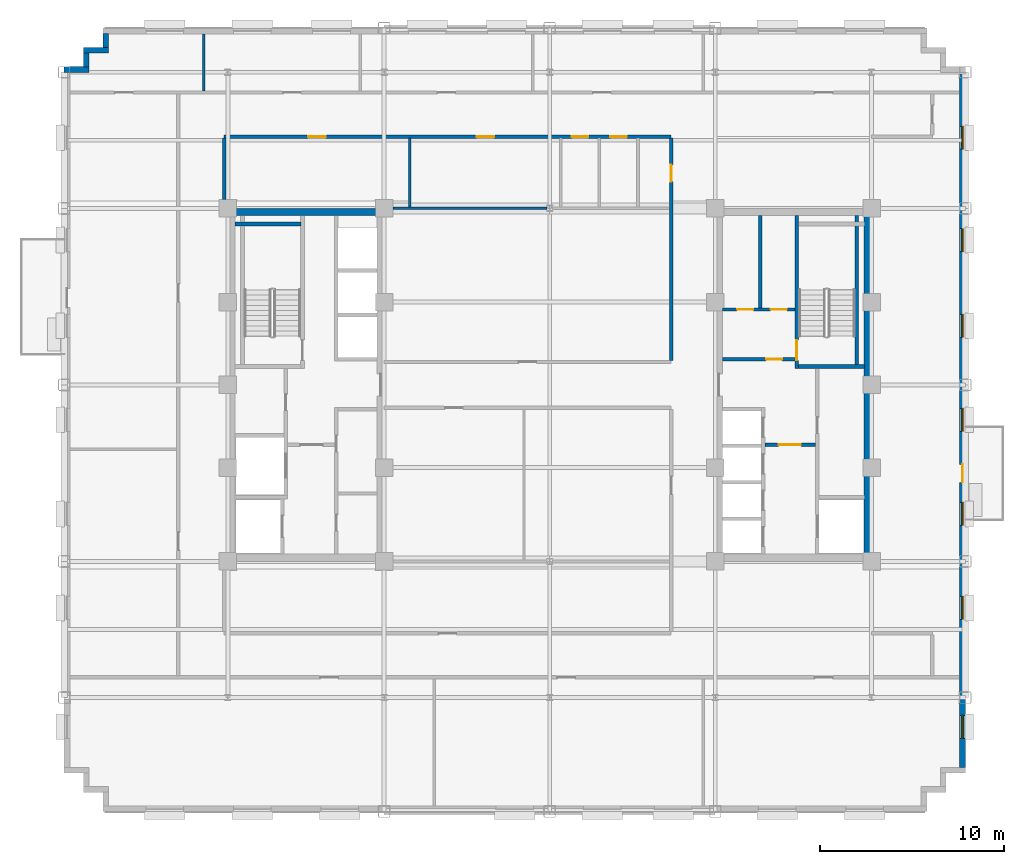
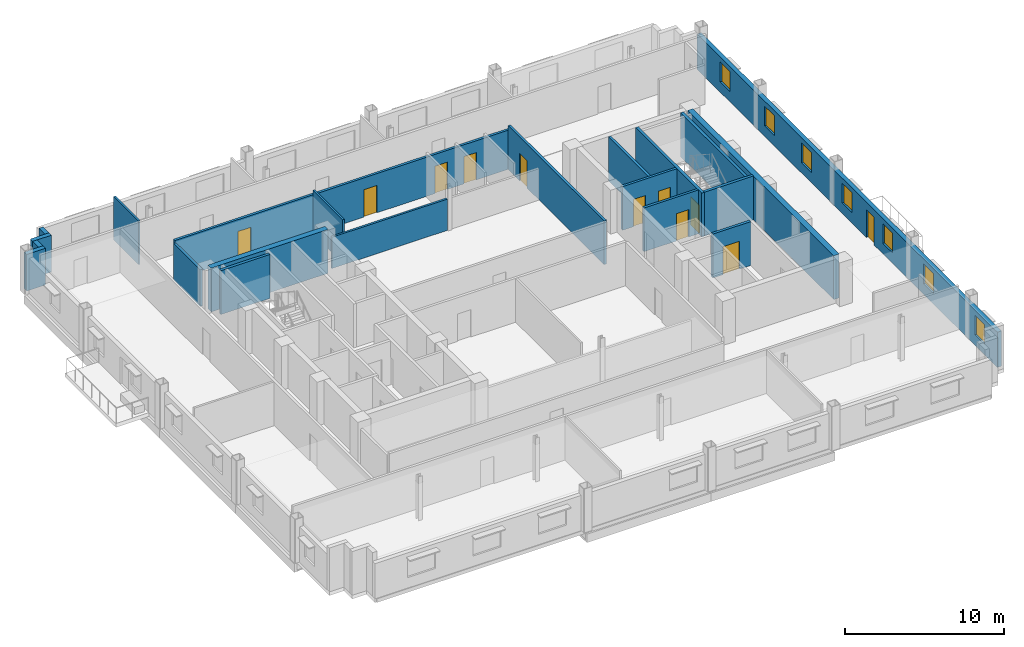
# One storey, part 9 of 14: 21 walls, 11 doors, 7 windows, 18 openings.
"""IFC4 building model written with IfcOpenShell, lengths in metres."""

from ifc_helpers import new_model, si_unit, direction, frame, frame_2d, origin, place, context, subcontext, project, spatial, rectangle, extrude, source, transform, mapped, material, layer, layer_set, type_object, type_shapes, element, fill, save


model = new_model("IFC4")

# Units and contexts
model_context = context("Model", 3, precision=1e-05, world=origin(), true_north=direction((0.0, 1.0)))
body_context = subcontext(model_context, "Body", "Model", "MODEL_VIEW")
ifc_project = project(units=[si_unit("LENGTHUNIT", "METRE"), si_unit("AREAUNIT", "SQUARE_METRE"), si_unit("VOLUMEUNIT", "CUBIC_METRE"), si_unit("PLANEANGLEUNIT", "RADIAN"), si_unit("MASSUNIT", "GRAM", prefix="KILO")], contexts=[model_context])

# Site, building, storey
site_placement = place(None, origin())
site = spatial("IfcSite", under=ifc_project, at=site_placement, CompositionType="ELEMENT")
building_placement = place(site_placement, origin())
building = spatial("IfcBuilding", under=site, at=building_placement, Name="Nuvemarco Arch Tower", CompositionType="ELEMENT")
storey_placement = place(building_placement, frame((0.0, 0.0, 171.300048828125)))
storey = spatial("IfcBuildingStorey", under=building, at=storey_placement, Name="L45", CompositionType="ELEMENT", Elevation=171.300048828125)

# Wall, openings, door, windows
ifc_material_1 = material(Name="Precast concrete C45/55", Category="concrete")
ifc_layer_1 = layer(ifc_material_1, 0.31005859375, Name="EW-UPP-310")
ifc_layer_set_1 = layer_set([ifc_layer_1], Name="Precast concrete C45/55")
wall_type_1 = type_object("IfcWallType", Name="EW-UPP-310", PredefinedType="STANDARD", material=ifc_layer_set_1)
wall_1_placement = place(storey_placement, frame((22.445068359375, -20.7939453125, 0.0), z_axis=(0.0, 0.0, 1.0), x_axis=(0.0, 1.0, 0.0)))
wall_1 = element("IfcWall", 1, at=wall_1_placement, inside=storey, type_object=wall_type_1, Name="L45 exterior precast facade wall 6", PredefinedType="STANDARD", context=body_context, shape_type="SweptSolid", body=[
    extrude(rectangle(XDim=37.787841796875, YDim=0.31005859375, at=frame_2d((18.89404296875, 0.0))), origin(), (0.0, 0.0, 1.0), 2.704833984375),
])
opening_1_placement = place(wall_1_placement, frame((16.473876953125, 0.0, 0.0), z_axis=(0.0, 0.0, 1.0), x_axis=(-1.0, 0.0, 0.0)))
opening_1 = element("IfcOpeningElement", 2, at=opening_1_placement, cuts=wall_1, Name="Opening ED-6", PredefinedType="OPENING", context=body_context, shape_type="SweptSolid", body=[
    extrude(rectangle(XDim=0.97998046875, YDim=2.14990234375, at=frame_2d((0.489990234375, 1.074951171875))), frame((0.0, 0.1650390625, 0.0), z_axis=(0.0, -1.0, 0.0), x_axis=(1.0, 0.0, 0.0)), (0.0, 0.0, 1.0), 0.330078125),
])
opening_2_placement = place(wall_1_placement, frame((1.581298828125, 0.0, 0.800048828125)))
opening_2 = element("IfcOpeningElement", 3, at=opening_2_placement, cuts=wall_1, Name="Opening WN-13", PredefinedType="OPENING", context=body_context, shape_type="SweptSolid", body=[
    extrude(rectangle(XDim=1.25, YDim=1.52001953125, at=frame_2d((0.625, 0.760009765625))), frame((0.0, 0.1650390625, 0.0), z_axis=(0.0, -1.0, 0.0), x_axis=(1.0, 0.0, 0.0)), (0.0, 0.0, 1.0), 0.330078125),
])
opening_3_placement = place(wall_1_placement, frame((8.0439453125, 0.0, 0.800048828125)))
opening_3 = element("IfcOpeningElement", 4, at=opening_3_placement, cuts=wall_1, Name="Opening WN-13", PredefinedType="OPENING", context=body_context, shape_type="SweptSolid", body=[
    extrude(rectangle(XDim=1.25, YDim=1.52001953125, at=frame_2d((0.625, 0.760009765625))), frame((0.0, 0.1650390625, 0.0), z_axis=(0.0, -1.0, 0.0), x_axis=(1.0, 0.0, 0.0)), (0.0, 0.0, 1.0), 0.330078125),
])
opening_4_placement = place(wall_1_placement, frame((13.156494140625, 0.0, 0.800048828125)))
opening_4 = element("IfcOpeningElement", 5, at=opening_4_placement, cuts=wall_1, Name="Opening WN-13", PredefinedType="OPENING", context=body_context, shape_type="SweptSolid", body=[
    extrude(rectangle(XDim=1.25, YDim=1.52001953125, at=frame_2d((0.625, 0.760009765625))), frame((0.0, 0.1650390625, 0.0), z_axis=(0.0, -1.0, 0.0), x_axis=(1.0, 0.0, 0.0)), (0.0, 0.0, 1.0), 0.330078125),
])
opening_5_placement = place(wall_1_placement, frame((18.26904296875, 0.0, 0.800048828125)))
opening_5 = element("IfcOpeningElement", 6, at=opening_5_placement, cuts=wall_1, Name="Opening WN-13", PredefinedType="OPENING", context=body_context, shape_type="SweptSolid", body=[
    extrude(rectangle(XDim=1.25, YDim=1.52001953125, at=frame_2d((0.625, 0.760009765625))), frame((0.0, 0.1650390625, 0.0), z_axis=(0.0, -1.0, 0.0), x_axis=(1.0, 0.0, 0.0)), (0.0, 0.0, 1.0), 0.330078125),
])
opening_6_placement = place(wall_1_placement, frame((23.381591796875, 0.0, 0.800048828125)))
opening_6 = element("IfcOpeningElement", 7, at=opening_6_placement, cuts=wall_1, Name="Opening WN-13", PredefinedType="OPENING", context=body_context, shape_type="SweptSolid", body=[
    extrude(rectangle(XDim=1.25, YDim=1.52001953125, at=frame_2d((0.625, 0.760009765625))), frame((0.0, 0.1650390625, 0.0), z_axis=(0.0, -1.0, 0.0), x_axis=(1.0, 0.0, 0.0)), (0.0, 0.0, 1.0), 0.330078125),
])
opening_7_placement = place(wall_1_placement, frame((28.044189453125, 0.0, 0.800048828125)))
opening_7 = element("IfcOpeningElement", 8, at=opening_7_placement, cuts=wall_1, Name="Opening WN-13", PredefinedType="OPENING", context=body_context, shape_type="SweptSolid", body=[
    extrude(rectangle(XDim=1.25, YDim=1.52001953125, at=frame_2d((0.625, 0.760009765625))), frame((0.0, 0.1650390625, 0.0), z_axis=(0.0, -1.0, 0.0), x_axis=(1.0, 0.0, 0.0)), (0.0, 0.0, 1.0), 0.330078125),
])
opening_8_placement = place(wall_1_placement, frame((33.606689453125, 0.0, 0.800048828125)))
opening_8 = element("IfcOpeningElement", 9, at=opening_8_placement, cuts=wall_1, Name="Opening WN-13", PredefinedType="OPENING", context=body_context, shape_type="SweptSolid", body=[
    extrude(rectangle(XDim=1.25, YDim=1.52001953125, at=frame_2d((0.625, 0.760009765625))), frame((0.0, 0.1650390625, 0.0), z_axis=(0.0, -1.0, 0.0), x_axis=(1.0, 0.0, 0.0)), (0.0, 0.0, 1.0), 0.330078125),
])
ifc_material_2 = material(Name="Anodised bronze and laminated glass", Category="glass")
door_type_1 = type_object("IfcDoorType", Name="DR-EXT-BALC", OperationType="NOTDEFINED", PredefinedType="DOOR", material=ifc_material_2)
shared_shape_1 = source(origin(), body_context, "Body", "SweptSolid", [
    extrude(rectangle(XDim=0.97998046875, YDim=2.14990234375, at=frame_2d((0.489990234375, 1.074951171875))), frame((0.0, 0.02490234375, 0.0), z_axis=(0.0, -1.0, 0.0), x_axis=(1.0, 0.0, 0.0)), (0.0, 0.0, 1.0), 0.050048828125),
])
type_shapes(door_type_1, [shared_shape_1])
door_1_placement = place(opening_1_placement, origin())
door_1 = element("IfcDoor", 10, at=door_1_placement, inside=storey, type_object=door_type_1, Name="L45 tree balcony access door", OperationType="SINGLE_SWING_RIGHT", OverallHeight=2.14990234375, OverallWidth=0.97998046875, PredefinedType="DOOR", context=body_context, shape_type="MappedRepresentation", body=[
    mapped(shared_shape_1, transform((0.0, 0.0, 0.0), scale=1.0)),
])
fill(opening_1, door_1)
ifc_material_3 = material(Name="Insulated solar-control glass", Category="glass")
window_type = type_object("IfcWindowType", Name="WN-SET-1250x1520", PartitioningType="SINGLE_PANEL", PredefinedType="WINDOW", material=ifc_material_3)
shared_shape_2 = source(origin(), body_context, "Body", "SweptSolid", [
    extrude(rectangle(XDim=1.25, YDim=1.52001953125, at=frame_2d((0.625, 0.760009765625))), frame((0.0, 0.030029296875, 0.0), z_axis=(0.0, -1.0, 0.0), x_axis=(1.0, 0.0, 0.0)), (0.0, 0.0, 1.0), 0.06005859375),
])
type_shapes(window_type, [shared_shape_2])
window_1_placement = place(opening_2_placement, origin())
window_1 = element("IfcWindow", 11, at=window_1_placement, inside=storey, type_object=window_type, Name="L45 punched facade window 1", OverallHeight=1.52001953125, OverallWidth=1.25, PartitioningType="SINGLE_PANEL", PredefinedType="WINDOW", context=body_context, shape_type="MappedRepresentation", body=[
    mapped(shared_shape_2, transform((0.0, 0.0, 0.0), scale=1.0)),
])
fill(opening_2, window_1)
window_2_placement = place(opening_3_placement, origin())
window_2 = element("IfcWindow", 12, at=window_2_placement, inside=storey, type_object=window_type, Name="L45 punched facade window 2", OverallHeight=1.52001953125, OverallWidth=1.25, PartitioningType="SINGLE_PANEL", PredefinedType="WINDOW", context=body_context, shape_type="MappedRepresentation", body=[
    mapped(shared_shape_2, transform((0.0, 0.0, 0.0), scale=1.0)),
])
fill(opening_3, window_2)
window_3_placement = place(opening_4_placement, origin())
window_3 = element("IfcWindow", 13, at=window_3_placement, inside=storey, type_object=window_type, Name="L45 punched facade window 3", OverallHeight=1.52001953125, OverallWidth=1.25, PartitioningType="SINGLE_PANEL", PredefinedType="WINDOW", context=body_context, shape_type="MappedRepresentation", body=[
    mapped(shared_shape_2, transform((0.0, 0.0, 0.0), scale=1.0)),
])
fill(opening_4, window_3)
window_4_placement = place(opening_5_placement, origin())
window_4 = element("IfcWindow", 14, at=window_4_placement, inside=storey, type_object=window_type, Name="L45 punched facade window 4", OverallHeight=1.52001953125, OverallWidth=1.25, PartitioningType="SINGLE_PANEL", PredefinedType="WINDOW", context=body_context, shape_type="MappedRepresentation", body=[
    mapped(shared_shape_2, transform((0.0, 0.0, 0.0), scale=1.0)),
])
fill(opening_5, window_4)
window_5_placement = place(opening_6_placement, origin())
window_5 = element("IfcWindow", 15, at=window_5_placement, inside=storey, type_object=window_type, Name="L45 punched facade window 5", OverallHeight=1.52001953125, OverallWidth=1.25, PartitioningType="SINGLE_PANEL", PredefinedType="WINDOW", context=body_context, shape_type="MappedRepresentation", body=[
    mapped(shared_shape_2, transform((0.0, 0.0, 0.0), scale=1.0)),
])
fill(opening_6, window_5)
window_6_placement = place(opening_7_placement, origin())
window_6 = element("IfcWindow", 16, at=window_6_placement, inside=storey, type_object=window_type, Name="L45 punched facade window 6", OverallHeight=1.52001953125, OverallWidth=1.25, PartitioningType="SINGLE_PANEL", PredefinedType="WINDOW", context=body_context, shape_type="MappedRepresentation", body=[
    mapped(shared_shape_2, transform((0.0, 0.0, 0.0), scale=1.0)),
])
fill(opening_7, window_6)
window_7_placement = place(opening_8_placement, origin())
window_7 = element("IfcWindow", 17, at=window_7_placement, inside=storey, type_object=window_type, Name="L45 punched facade window 7", OverallHeight=1.52001953125, OverallWidth=1.25, PartitioningType="SINGLE_PANEL", PredefinedType="WINDOW", context=body_context, shape_type="MappedRepresentation", body=[
    mapped(shared_shape_2, transform((0.0, 0.0, 0.0), scale=1.0)),
])
fill(opening_8, window_7)

# Walls
wall_2_placement = place(storey_placement, frame((-24.14501953125, 18.345947265625, 0.0), z_axis=(0.0, 0.0, 1.0), x_axis=(0.0, 1.0, 0.0)))
element("IfcWall", 18, at=wall_2_placement, inside=storey, type_object=wall_type_1, Name="L45 exterior precast facade wall 12", PredefinedType="STANDARD", context=body_context, shape_type="SweptSolid", body=[
    extrude(rectangle(XDim=0.748046875, YDim=0.31005859375, at=frame_2d((0.3740234375, 0.0))), origin(), (0.0, 0.0, 1.0), 2.81591796875),
])
wall_3_placement = place(storey_placement, frame((-25.35009765625, 18.195068359375, 0.0), z_axis=(0.0, 0.0, 1.0), x_axis=(1.0, 0.0, 0.0)))
element("IfcWall", 19, at=wall_3_placement, inside=storey, type_object=wall_type_1, Name="L45 exterior precast facade wall 13", PredefinedType="STANDARD", context=body_context, shape_type="SweptSolid", body=[
    extrude(rectangle(XDim=1.360107421875, YDim=0.31005859375, at=frame_2d((0.68017578125, 0.0))), origin(), (0.0, 0.0, 1.0), 2.81591796875),
])
wall_4_placement = place(storey_placement, frame((-25.195068359375, 17.2958984375, 0.0), z_axis=(0.0, 0.0, 1.0), x_axis=(0.0, 1.0, 0.0)))
element("IfcWall", 20, at=wall_4_placement, inside=storey, type_object=wall_type_1, Name="L45 exterior precast facade wall 14", PredefinedType="STANDARD", context=body_context, shape_type="SweptSolid", body=[
    extrude(rectangle(XDim=0.748046875, YDim=0.31005859375, at=frame_2d((0.3740234375, 0.0))), origin(), (0.0, 0.0, 1.0), 2.81591796875),
])
wall_5_placement = place(storey_placement, frame((-26.39990234375, 17.14501953125, 0.0), z_axis=(0.0, 0.0, 1.0), x_axis=(1.0, 0.0, 0.0)))
element("IfcWall", 21, at=wall_5_placement, inside=storey, type_object=wall_type_1, Name="L45 exterior precast facade wall 15", PredefinedType="STANDARD", context=body_context, shape_type="SweptSolid", body=[
    extrude(rectangle(XDim=1.35986328125, YDim=0.31005859375, at=frame_2d((0.679931640625, 0.0))), origin(), (0.0, 0.0, 1.0), 2.81591796875),
])
ifc_material_4 = material(Name="Concrete C60/75", Category="concrete")
ifc_layer_2 = layer(ifc_material_4, 0.39990234375, Name="WL-CORE-400")
ifc_layer_set_2 = layer_set([ifc_layer_2], Name="Concrete C60/75")
wall_type_2 = type_object("IfcWallType", Name="WL-CORE-400", PredefinedType="SHEAR", material=ifc_layer_set_2)
wall_6_placement = place(storey_placement, frame((-17.5, 9.39990234375, 0.0), z_axis=(0.0, 0.0, 1.0), x_axis=(1.0, 0.0, 0.0)))
element("IfcWall", 22, at=wall_6_placement, inside=storey, type_object=wall_type_2, Name="L45 W-core shear wall N", PredefinedType="SHEAR", context=body_context, shape_type="SweptSolid", body=[
    extrude(rectangle(XDim=8.5, YDim=0.39990234375, at=frame_2d((4.25, 0.0))), origin(), (0.0, 0.0, 1.0), 3.369873046875),
])
wall_7_placement = place(storey_placement, frame((17.300048828125, -9.205078125, 0.0), z_axis=(0.0, 0.0, 1.0), x_axis=(0.0, 1.0, 0.0)))
element("IfcWall", 23, at=wall_7_placement, inside=storey, type_object=wall_type_2, Name="L45 E-core shear wall E", PredefinedType="SHEAR", context=body_context, shape_type="SweptSolid", body=[
    extrude(rectangle(XDim=18.41015625, YDim=0.39990234375, at=frame_2d((9.205078125, 0.0))), origin(), (0.0, 0.0, 1.0), 3.369873046875),
])

# Wall, opening, door
ifc_material_5 = material(Name="Fire-rated gypsum drywall partition")
ifc_layer_3 = layer(ifc_material_5, 0.179931640625, Name="WL-CORR-180")
ifc_layer_set_3 = layer_set([ifc_layer_3], Name="Fire-rated gypsum drywall partition")
wall_type_3 = type_object("IfcWallType", Name="WL-CORR-180", PredefinedType="PARTITIONING", material=ifc_layer_set_3)
wall_8_placement = place(storey_placement, frame((9.39501953125, 1.39990234375, 0.0), z_axis=(0.0, 0.0, 1.0), x_axis=(1.0, 0.0, 0.0)))
wall_8 = element("IfcWall", 24, at=wall_8_placement, inside=storey, type_object=wall_type_3, Name="L45 interior wall IW-L45-EK-S", PredefinedType="PARTITIONING", context=body_context, shape_type="SweptSolid", body=[
    extrude(rectangle(XDim=3.949951171875, YDim=0.179931640625, at=frame_2d((1.97509765625, 0.0))), origin(), (0.0, 0.0, 1.0), 3.35986328125),
])
opening_9_placement = place(wall_8_placement, frame((2.364990234375, 0.0, 0.0)))
opening_9 = element("IfcOpeningElement", 25, at=opening_9_placement, cuts=wall_8, Name="Opening FD-4", PredefinedType="OPENING", context=body_context, shape_type="SweptSolid", body=[
    extrude(rectangle(XDim=0.8798828125, YDim=2.10009765625, at=frame_2d((0.43994140625, 1.050048828125))), frame((0.0, 0.099853515625, 0.0), z_axis=(0.0, -1.0, 0.0), x_axis=(1.0, 0.0, 0.0)), (0.0, 0.0, 1.0), 0.199951171875),
])
ifc_material_6 = material(Name="Anodised steel fire door", Category="steel")
door_type_2 = type_object("IfcDoorType", Name="DR-RISER-FD", OperationType="NOTDEFINED", PredefinedType="DOOR", material=ifc_material_6)
shared_shape_3 = source(origin(), body_context, "Body", "SweptSolid", [
    extrude(rectangle(XDim=0.8798828125, YDim=2.10009765625, at=frame_2d((0.43994140625, 1.050048828125))), frame((0.0, 0.02490234375, 0.0), z_axis=(0.0, -1.0, 0.0), x_axis=(1.0, 0.0, 0.0)), (0.0, 0.0, 1.0), 0.050048828125),
])
type_shapes(door_type_2, [shared_shape_3])
door_2_placement = place(opening_9_placement, origin())
door_2 = element("IfcDoor", 26, at=door_2_placement, inside=storey, type_object=door_type_2, Name="L45 door FD-L45-EK3A", OperationType="SINGLE_SWING_RIGHT", OverallHeight=2.10009765625, OverallWidth=0.8798828125, PredefinedType="DOOR", context=body_context, shape_type="MappedRepresentation", body=[
    mapped(shared_shape_3, transform((0.0, 0.0, 0.0), scale=1.0)),
])
fill(opening_9, door_2)

# Wall, openings, doors
wall_9_placement = place(storey_placement, frame((9.39501953125, 4.10009765625, 0.0), z_axis=(0.0, 0.0, 1.0), x_axis=(1.0, 0.0, 0.0)))
wall_9 = element("IfcWall", 27, at=wall_9_placement, inside=storey, type_object=wall_type_3, Name="L45 interior wall IW-L45-EK3H", PredefinedType="PARTITIONING", context=body_context, shape_type="SweptSolid", body=[
    extrude(rectangle(XDim=3.949951171875, YDim=0.179931640625, at=frame_2d((1.97509765625, 0.0))), origin(), (0.0, 0.0, 1.0), 3.35986328125),
])
opening_10_placement = place(wall_9_placement, frame((0.800048828125, 0.0, 0.0)))
opening_10 = element("IfcOpeningElement", 28, at=opening_10_placement, cuts=wall_9, Name="Opening FD-4", PredefinedType="OPENING", context=body_context, shape_type="SweptSolid", body=[
    extrude(rectangle(XDim=0.8798828125, YDim=2.10009765625, at=frame_2d((0.43994140625, 1.050048828125))), frame((0.0, 0.099853515625, 0.0), z_axis=(0.0, -1.0, 0.0), x_axis=(1.0, 0.0, 0.0)), (0.0, 0.0, 1.0), 0.199951171875),
])
opening_11_placement = place(wall_9_placement, frame((2.614990234375, 0.0, 0.0)))
opening_11 = element("IfcOpeningElement", 29, at=opening_11_placement, cuts=wall_9, Name="Opening FD-4", PredefinedType="OPENING", context=body_context, shape_type="SweptSolid", body=[
    extrude(rectangle(XDim=0.8798828125, YDim=2.10009765625, at=frame_2d((0.43994140625, 1.050048828125))), frame((0.0, 0.099853515625, 0.0), z_axis=(0.0, -1.0, 0.0), x_axis=(1.0, 0.0, 0.0)), (0.0, 0.0, 1.0), 0.199951171875),
])
door_3_placement = place(opening_10_placement, origin())
door_3 = element("IfcDoor", 30, at=door_3_placement, inside=storey, type_object=door_type_2, Name="L45 door FD-L45-EK3B", OperationType="SINGLE_SWING_LEFT", OverallHeight=2.10009765625, OverallWidth=0.8798828125, PredefinedType="DOOR", context=body_context, shape_type="MappedRepresentation", body=[
    mapped(shared_shape_3, transform((0.0, 0.0, 0.0), scale=1.0)),
])
fill(opening_10, door_3)
door_4_placement = place(opening_11_placement, origin())
door_4 = element("IfcDoor", 31, at=door_4_placement, inside=storey, type_object=door_type_2, Name="L45 door FD-L45-EK3C", OperationType="SINGLE_SWING_RIGHT", OverallHeight=2.10009765625, OverallWidth=0.8798828125, PredefinedType="DOOR", context=body_context, shape_type="MappedRepresentation", body=[
    mapped(shared_shape_3, transform((0.0, 0.0, 0.0), scale=1.0)),
])
fill(opening_11, door_4)

# Wall
wall_10_placement = place(storey_placement, frame((11.449951171875, 4.18994140625, 0.0), z_axis=(0.0, 0.0, 1.0), x_axis=(0.0, 1.0, 0.0)))
element("IfcWall", 32, at=wall_10_placement, inside=storey, type_object=wall_type_3, Name="L45 interior wall IW-L45-EK3V", PredefinedType="PARTITIONING", context=body_context, shape_type="SweptSolid", body=[
    extrude(rectangle(XDim=5.01513671875, YDim=0.179931640625, at=frame_2d((2.507568359375, 0.0))), origin(), (0.0, 0.0, 1.0), 3.35986328125),
])

# Wall, openings, doors
wall_11_placement = place(storey_placement, frame((-17.699951171875, 13.5, 0.0), z_axis=(0.0, 0.0, 1.0), x_axis=(1.0, 0.0, 0.0)))
wall_11 = element("IfcWall", 33, at=wall_11_placement, inside=storey, type_object=wall_type_3, Name="L45 interior wall IW-L45-011", PredefinedType="PARTITIONING", context=body_context, shape_type="SweptSolid", body=[
    extrude(rectangle(XDim=24.300048828125, YDim=0.179931640625, at=frame_2d((12.14990234375, 0.0))), origin(), (0.0, 0.0, 1.0), 3.008056640625),
])
opening_12_placement = place(wall_11_placement, frame((4.570068359375, 0.0, 0.0)))
opening_12 = element("IfcOpeningElement", 34, at=opening_12_placement, cuts=wall_11, Name="Opening FD-5", PredefinedType="OPENING", context=body_context, shape_type="SweptSolid", body=[
    extrude(rectangle(XDim=0.9599609375, YDim=2.10009765625, at=frame_2d((0.47998046875, 1.050048828125))), frame((0.0, 0.099853515625, 0.0), z_axis=(0.0, -1.0, 0.0), x_axis=(1.0, 0.0, 0.0)), (0.0, 0.0, 1.0), 0.199951171875),
])
opening_13_placement = place(wall_11_placement, frame((13.719970703125, 0.0, 0.0)))
opening_13 = element("IfcOpeningElement", 35, at=opening_13_placement, cuts=wall_11, Name="Opening FD-5", PredefinedType="OPENING", context=body_context, shape_type="SweptSolid", body=[
    extrude(rectangle(XDim=0.9599609375, YDim=2.10009765625, at=frame_2d((0.47998046875, 1.050048828125))), frame((0.0, 0.099853515625, 0.0), z_axis=(0.0, -1.0, 0.0), x_axis=(1.0, 0.0, 0.0)), (0.0, 0.0, 1.0), 0.199951171875),
])
opening_14_placement = place(wall_11_placement, frame((18.89990234375, 0.0, 0.0)))
opening_14 = element("IfcOpeningElement", 36, at=opening_14_placement, cuts=wall_11, Name="Opening ID-3", PredefinedType="OPENING", context=body_context, shape_type="SweptSolid", body=[
    extrude(rectangle(XDim=0.89990234375, YDim=2.10009765625, at=frame_2d((0.449951171875, 1.050048828125))), frame((0.0, 0.099853515625, 0.0), z_axis=(0.0, -1.0, 0.0), x_axis=(1.0, 0.0, 0.0)), (0.0, 0.0, 1.0), 0.199951171875),
])
opening_15_placement = place(wall_11_placement, frame((21.0, 0.0, 0.0)))
opening_15 = element("IfcOpeningElement", 37, at=opening_15_placement, cuts=wall_11, Name="Opening ID-3", PredefinedType="OPENING", context=body_context, shape_type="SweptSolid", body=[
    extrude(rectangle(XDim=0.89990234375, YDim=2.10009765625, at=frame_2d((0.449951171875, 1.050048828125))), frame((0.0, 0.099853515625, 0.0), z_axis=(0.0, -1.0, 0.0), x_axis=(1.0, 0.0, 0.0)), (0.0, 0.0, 1.0), 0.199951171875),
])
ifc_material_7 = material(Name="Timber fire door", Category="wood")
door_type_3 = type_object("IfcDoorType", Name="DR-CORR-FD", OperationType="NOTDEFINED", PredefinedType="DOOR", material=ifc_material_7)
shared_shape_4 = source(origin(), body_context, "Body", "SweptSolid", [
    extrude(rectangle(XDim=0.9599609375, YDim=2.10009765625, at=frame_2d((0.47998046875, 1.050048828125))), frame((0.0, 0.02490234375, 0.0), z_axis=(0.0, -1.0, 0.0), x_axis=(1.0, 0.0, 0.0)), (0.0, 0.0, 1.0), 0.050048828125),
])
type_shapes(door_type_3, [shared_shape_4])
door_5_placement = place(opening_12_placement, origin())
door_5 = element("IfcDoor", 38, at=door_5_placement, inside=storey, type_object=door_type_3, Name="L45 door DR-L45-IN_N1", OperationType="SINGLE_SWING_RIGHT", OverallHeight=2.10009765625, OverallWidth=0.9599609375, PredefinedType="DOOR", context=body_context, shape_type="MappedRepresentation", body=[
    mapped(shared_shape_4, transform((0.0, 0.0, 0.0), scale=1.0)),
])
fill(opening_12, door_5)
door_6_placement = place(opening_13_placement, origin())
door_6 = element("IfcDoor", 39, at=door_6_placement, inside=storey, type_object=door_type_3, Name="L45 door DR-L45-IN_N2", OperationType="SINGLE_SWING_RIGHT", OverallHeight=2.10009765625, OverallWidth=0.9599609375, PredefinedType="DOOR", context=body_context, shape_type="MappedRepresentation", body=[
    mapped(shared_shape_4, transform((0.0, 0.0, 0.0), scale=1.0)),
])
fill(opening_13, door_6)
ifc_material_8 = material(Name="Veneered oak timber fire door", Category="wood")
door_type_4 = type_object("IfcDoorType", Name="DR-WC-ACC", OperationType="NOTDEFINED", PredefinedType="DOOR", material=ifc_material_8)
shared_shape_5 = source(origin(), body_context, "Body", "SweptSolid", [
    extrude(rectangle(XDim=0.89990234375, YDim=2.10009765625, at=frame_2d((0.449951171875, 1.050048828125))), frame((0.0, 0.02490234375, 0.0), z_axis=(0.0, -1.0, 0.0), x_axis=(1.0, 0.0, 0.0)), (0.0, 0.0, 1.0), 0.050048828125),
])
type_shapes(door_type_4, [shared_shape_5])
door_7_placement = place(opening_14_placement, origin())
door_7 = element("IfcDoor", 40, at=door_7_placement, inside=storey, type_object=door_type_4, Name="L45 door DR-L45-WC_M", OperationType="SINGLE_SWING_RIGHT", OverallHeight=2.10009765625, OverallWidth=0.89990234375, PredefinedType="DOOR", context=body_context, shape_type="MappedRepresentation", body=[
    mapped(shared_shape_5, transform((0.0, 0.0, 0.0), scale=1.0)),
])
fill(opening_14, door_7)
door_8_placement = place(opening_15_placement, origin())
door_8 = element("IfcDoor", 41, at=door_8_placement, inside=storey, type_object=door_type_4, Name="L45 door DR-L45-WC_F", OperationType="SINGLE_SWING_LEFT", OverallHeight=2.10009765625, OverallWidth=0.89990234375, PredefinedType="DOOR", context=body_context, shape_type="MappedRepresentation", body=[
    mapped(shared_shape_5, transform((0.0, 0.0, 0.0), scale=1.0)),
])
fill(opening_15, door_8)

# Wall
wall_12_placement = place(storey_placement, frame((-17.699951171875, 10.071044921875, 0.0), z_axis=(0.0, 0.0, 1.0), x_axis=(0.0, 1.0, 0.0)))
element("IfcWall", 42, at=wall_12_placement, inside=storey, type_object=wall_type_3, Name="L45 interior wall IW-L45-017", PredefinedType="PARTITIONING", context=body_context, shape_type="SweptSolid", body=[
    extrude(rectangle(XDim=3.343017578125, YDim=0.179931640625, at=frame_2d((1.67138671875, 0.0))), origin(), (0.0, 0.0, 1.0), 2.81591796875),
])

# Wall, opening, door
wall_13_placement = place(storey_placement, frame((6.60009765625, 1.3359375, 0.0), z_axis=(0.0, 0.0, 1.0), x_axis=(0.0, 1.0, 0.0)))
wall_13 = element("IfcWall", 43, at=wall_13_placement, inside=storey, type_object=wall_type_3, Name="L45 interior wall IW-L45-027", PredefinedType="PARTITIONING", context=body_context, shape_type="SweptSolid", body=[
    extrude(rectangle(XDim=12.078125, YDim=0.179931640625, at=frame_2d((6.0390625, 0.0))), origin(), (0.0, 0.0, 1.0), 3.35986328125),
])
opening_16_placement = place(wall_13_placement, frame((9.720947265625, 0.0, 0.0)))
opening_16 = element("IfcOpeningElement", 44, at=opening_16_placement, cuts=wall_13, Name="Opening ID-3", PredefinedType="OPENING", context=body_context, shape_type="SweptSolid", body=[
    extrude(rectangle(XDim=0.89990234375, YDim=2.10009765625, at=frame_2d((0.449951171875, 1.050048828125))), frame((0.0, 0.099853515625, 0.0), z_axis=(0.0, -1.0, 0.0), x_axis=(1.0, 0.0, 0.0)), (0.0, 0.0, 1.0), 0.199951171875),
])
door_9_placement = place(opening_16_placement, origin())
door_9 = element("IfcDoor", 45, at=door_9_placement, inside=storey, type_object=door_type_4, Name="L45 door DR-L45-WC_ACC", OperationType="SINGLE_SWING_RIGHT", OverallHeight=2.10009765625, OverallWidth=0.89990234375, PredefinedType="DOOR", context=body_context, shape_type="MappedRepresentation", body=[
    mapped(shared_shape_5, transform((0.0, 0.0, 0.0), scale=1.0)),
])
fill(opening_16, door_9)

# Walls
ifc_material_9 = material(Name="Glazed acoustic office partition")
ifc_layer_4 = layer(ifc_material_9, 0.1298828125, Name="WL-EXEC-130")
ifc_layer_set_4 = layer_set([ifc_layer_4], Name="Glazed acoustic office partition")
wall_type_4 = type_object("IfcWallType", Name="WL-EXEC-130", PredefinedType="PARTITIONING", material=ifc_layer_set_4)
wall_14_placement = place(storey_placement, frame((-18.800048828125, 15.986083984375, 0.0), z_axis=(0.0, 0.0, 1.0), x_axis=(0.0, 1.0, 0.0)))
element("IfcWall", 46, at=wall_14_placement, inside=storey, type_object=wall_type_4, Name="L45 interior wall IW-L45-015", PredefinedType="PARTITIONING", context=body_context, shape_type="SweptSolid", body=[
    extrude(rectangle(XDim=3.10400390625, YDim=0.1298828125, at=frame_2d((1.552001953125, 0.0))), origin(), (0.0, 0.0, 1.0), 3.35986328125),
])
ifc_material_10 = material(Name="Gypsum plasterboard partition")
ifc_layer_5 = layer(ifc_material_10, 0.139892578125, Name="WL-ROOM-140")
ifc_layer_set_5 = layer_set([ifc_layer_5], Name="Gypsum plasterboard partition")
wall_type_5 = type_object("IfcWallType", Name="WL-ROOM-140", PredefinedType="PARTITIONING", material=ifc_layer_set_5)
wall_15_placement = place(storey_placement, frame((-7.60009765625, 9.6708984375, 0.0), z_axis=(0.0, 0.0, 1.0), x_axis=(0.0, 1.0, 0.0)))
element("IfcWall", 47, at=wall_15_placement, inside=storey, type_object=wall_type_5, Name="L45 interior wall IW-L45-019", PredefinedType="PARTITIONING", context=body_context, shape_type="SweptSolid", body=[
    extrude(rectangle(XDim=3.7431640625, YDim=0.139892578125, at=frame_2d((1.87158203125, 0.0))), origin(), (0.0, 0.0, 1.0), 3.35986328125),
])
ifc_material_11 = material(Name="Concrete C50/60", Category="concrete")
ifc_layer_6 = layer(ifc_material_11, 0.199951171875, Name="WL-SHAFT-220")
ifc_layer_set_6 = layer_set([ifc_layer_6], Name="Concrete C50/60")
wall_type_6 = type_object("IfcWallType", Name="WL-SHAFT-220", PredefinedType="SHEAR", material=ifc_layer_set_6)
wall_16_placement = place(storey_placement, frame((-17.10498046875, 8.75, 0.0), z_axis=(0.0, 0.0, 1.0), x_axis=(1.0, 0.0, 0.0)))
element("IfcWall", 48, at=wall_16_placement, inside=storey, type_object=wall_type_6, Name="L45 structural shaft wall SW-L45-W-ST1N", PredefinedType="SHEAR", context=body_context, shape_type="SweptSolid", body=[
    extrude(rectangle(XDim=3.570068359375, YDim=0.199951171875, at=frame_2d((1.78515625, 0.0))), origin(), (0.0, 0.0, 1.0), 3.369873046875),
])

# Wall, opening, door
wall_17_placement = place(storey_placement, frame((13.43994140625, 0.89990234375, 0.0), z_axis=(0.0, 0.0, 1.0), x_axis=(0.0, 1.0, 0.0)))
wall_17 = element("IfcWall", 49, at=wall_17_placement, inside=storey, type_object=wall_type_6, Name="L45 structural shaft wall SW-L45-E-ST2W", PredefinedType="SHEAR", context=body_context, shape_type="SweptSolid", body=[
    extrude(rectangle(XDim=8.30517578125, YDim=0.199951171875, at=frame_2d((4.152587890625, 0.0))), origin(), (0.0, 0.0, 1.0), 3.369873046875),
])
opening_17_placement = place(wall_17_placement, frame((0.429931640625, 0.0, 0.0)))
opening_17 = element("IfcOpeningElement", 50, at=opening_17_placement, cuts=wall_17, Name="Opening FD-1", PredefinedType="OPENING", context=body_context, shape_type="SweptSolid", body=[
    extrude(rectangle(XDim=1.10009765625, YDim=2.14990234375, at=frame_2d((0.550048828125, 1.074951171875))), frame((0.0, 0.10986328125, 0.0), z_axis=(0.0, -1.0, 0.0), x_axis=(1.0, 0.0, 0.0)), (0.0, 0.0, 1.0), 0.219970703125),
])
door_type_5 = type_object("IfcDoorType", Name="DR-STAIR-FD", OperationType="NOTDEFINED", PredefinedType="DOOR", material=ifc_material_6)
shared_shape_6 = source(origin(), body_context, "Body", "SweptSolid", [
    extrude(rectangle(XDim=1.10009765625, YDim=2.14990234375, at=frame_2d((0.550048828125, 1.074951171875))), frame((0.0, 0.02490234375, 0.0), z_axis=(0.0, -1.0, 0.0), x_axis=(1.0, 0.0, 0.0)), (0.0, 0.0, 1.0), 0.050048828125),
])
type_shapes(door_type_5, [shared_shape_6])
door_10_placement = place(opening_17_placement, origin())
door_10 = element("IfcDoor", 51, at=door_10_placement, inside=storey, type_object=door_type_5, Name="L45 door FD-L45-ST2", OperationType="SINGLE_SWING_LEFT", OverallHeight=2.14990234375, OverallWidth=1.10009765625, PredefinedType="DOOR", context=body_context, shape_type="MappedRepresentation", body=[
    mapped(shared_shape_6, transform((0.0, 0.0, 0.0), scale=1.0)),
])
fill(opening_17, door_10)

# Walls
wall_18_placement = place(storey_placement, frame((13.534912109375, 1.0, 0.0), z_axis=(0.0, 0.0, 1.0), x_axis=(1.0, 0.0, 0.0)))
element("IfcWall", 52, at=wall_18_placement, inside=storey, type_object=wall_type_6, Name="L45 structural shaft wall SW-L45-E-ST2S", PredefinedType="SHEAR", context=body_context, shape_type="SweptSolid", body=[
    extrude(rectangle(XDim=3.570068359375, YDim=0.199951171875, at=frame_2d((1.78515625, 0.0))), origin(), (0.0, 0.0, 1.0), 3.369873046875),
])
wall_19_placement = place(storey_placement, frame((16.699951171875, 1.094970703125, 0.0), z_axis=(0.0, 0.0, 1.0), x_axis=(0.0, 1.0, 0.0)))
element("IfcWall", 53, at=wall_19_placement, inside=storey, type_object=wall_type_6, Name="L45 structural shaft wall SW-L45-E-ST2E", PredefinedType="SHEAR", context=body_context, shape_type="SweptSolid", body=[
    extrude(rectangle(XDim=8.110107421875, YDim=0.199951171875, at=frame_2d((4.05517578125, 0.0))), origin(), (0.0, 0.0, 1.0), 3.369873046875),
])

# Wall, opening, door
wall_20_placement = place(storey_placement, frame((11.695068359375, -3.25, 0.0), z_axis=(0.0, 0.0, 1.0), x_axis=(1.0, 0.0, 0.0)))
wall_20 = element("IfcWall", 54, at=wall_20_placement, inside=storey, type_object=wall_type_6, Name="L45 structural shaft wall SW-L45-E-FFN", PredefinedType="SHEAR", context=body_context, shape_type="SweptSolid", body=[
    extrude(rectangle(XDim=2.760009765625, YDim=0.199951171875, at=frame_2d((1.3798828125, 0.0))), origin(), (0.0, 0.0, 1.0), 3.369873046875),
])
opening_18_placement = place(wall_20_placement, frame((0.7548828125, 0.0, 0.0)))
opening_18 = element("IfcOpeningElement", 55, at=opening_18_placement, cuts=wall_20, Name="Opening FD-2", PredefinedType="OPENING", context=body_context, shape_type="SweptSolid", body=[
    extrude(rectangle(XDim=1.199951171875, YDim=2.14990234375, at=frame_2d((0.60009765625, 1.074951171875))), frame((0.0, 0.10986328125, 0.0), z_axis=(0.0, -1.0, 0.0), x_axis=(1.0, 0.0, 0.0)), (0.0, 0.0, 1.0), 0.219970703125),
])
door_type_6 = type_object("IfcDoorType", Name="DR-FFLOB-FD", OperationType="NOTDEFINED", PredefinedType="DOOR", material=ifc_material_6)
shared_shape_7 = source(origin(), body_context, "Body", "SweptSolid", [
    extrude(rectangle(XDim=1.199951171875, YDim=2.14990234375, at=frame_2d((0.60009765625, 1.074951171875))), frame((0.0, 0.02490234375, 0.0), z_axis=(0.0, -1.0, 0.0), x_axis=(1.0, 0.0, 0.0)), (0.0, 0.0, 1.0), 0.050048828125),
])
type_shapes(door_type_6, [shared_shape_7])
door_11_placement = place(opening_18_placement, origin())
door_11 = element("IfcDoor", 56, at=door_11_placement, inside=storey, type_object=door_type_6, Name="L45 door FD-L45-EFF2", OperationType="SINGLE_SWING_LEFT", OverallHeight=2.14990234375, OverallWidth=1.199951171875, PredefinedType="DOOR", context=body_context, shape_type="MappedRepresentation", body=[
    mapped(shared_shape_7, transform((0.0, 0.0, 0.0), scale=1.0)),
])
fill(opening_18, door_11)

# Wall
ifc_material_12 = material(Name="Moisture-resistant gypsum partition")
ifc_layer_7 = layer(ifc_material_12, 0.14990234375, Name="WL-WET-150")
ifc_layer_set_7 = layer_set([ifc_layer_7], Name="Moisture-resistant gypsum partition")
wall_type_7 = type_object("IfcWallType", Name="WL-WET-150", PredefinedType="PARTITIONING", material=ifc_layer_set_7)
wall_21_placement = place(storey_placement, frame((-8.529052734375, 9.60009765625, 0.0), z_axis=(0.0, 0.0, 1.0), x_axis=(1.0, 0.0, 0.0)))
element("IfcWall", 57, at=wall_21_placement, inside=storey, type_object=wall_type_7, Name="L45 interior wall IW-L45-009", PredefinedType="PARTITIONING", context=body_context, shape_type="SweptSolid", body=[
    extrude(rectangle(XDim=8.378173828125, YDim=0.14990234375, at=frame_2d((4.18896484375, 0.0))), origin(), (0.0, 0.0, 1.0), 2.405029296875),
])

save(model, "model.ifc")
